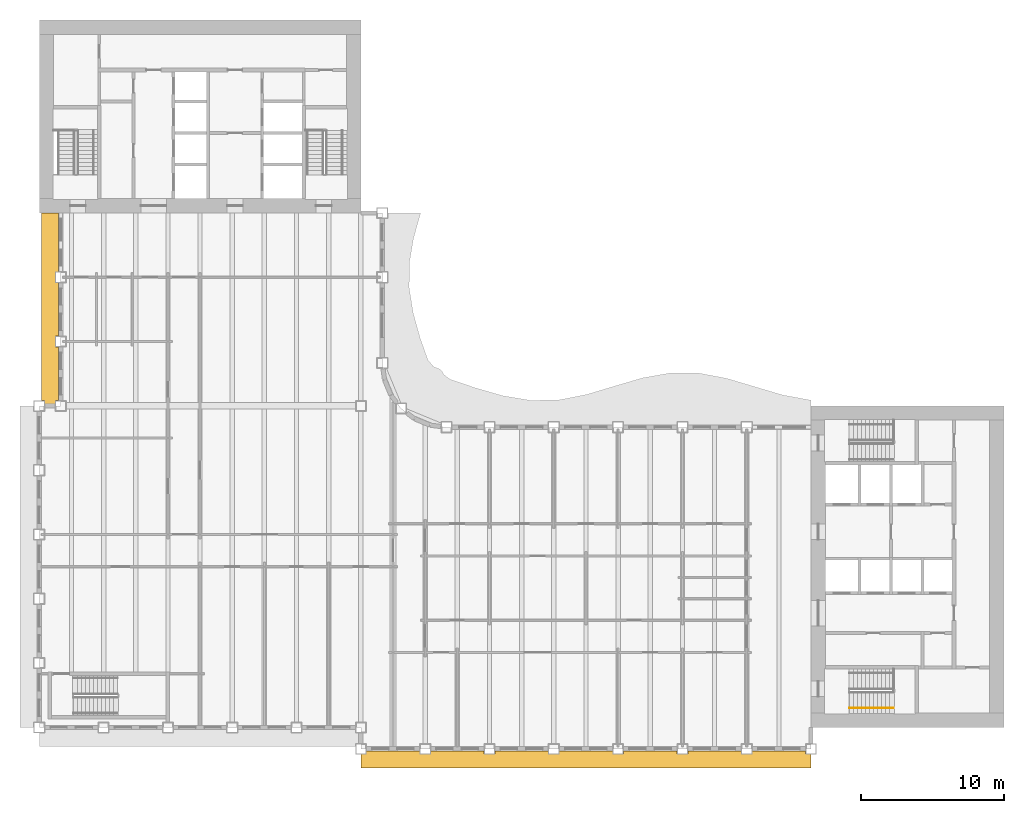
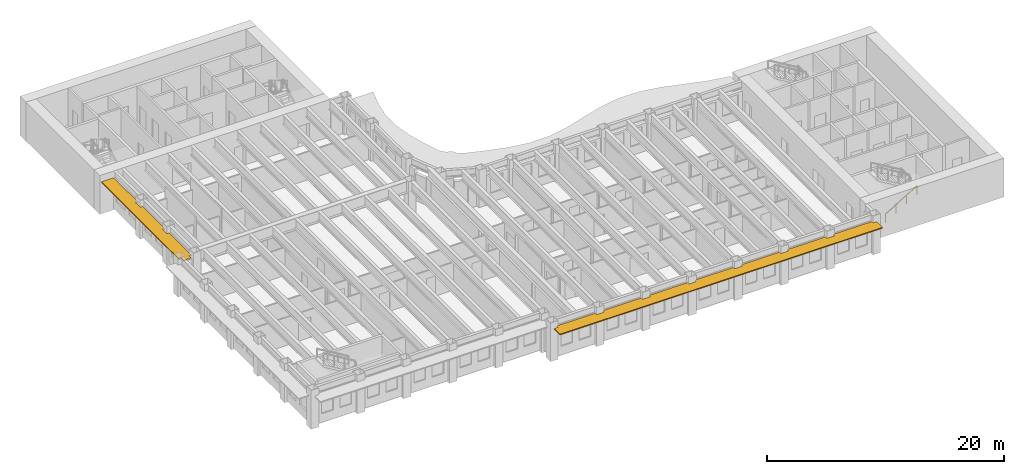
# One storey, part 12 of 16: 2 shading devices, 1 railing.
"""IFC4 building model written with IfcOpenShell, lengths in metres."""

from ifc_helpers import new_model, si_unit, direction, frame, origin, origin_2d, place, context, subcontext, project, spatial, polyline, rectangle, outline, extrude, material, layer, layer_set, type_object, element, save


model = new_model("IFC4")

# Units and contexts
model_context = context("Model", 3, precision=1e-05, world=origin(), true_north=direction((0.0, 1.0)))
body_context = subcontext(model_context, "Body", "Model", "MODEL_VIEW")
ifc_project = project(units=[si_unit("LENGTHUNIT", "METRE"), si_unit("AREAUNIT", "SQUARE_METRE"), si_unit("VOLUMEUNIT", "CUBIC_METRE"), si_unit("PLANEANGLEUNIT", "RADIAN"), si_unit("MASSUNIT", "GRAM", prefix="KILO")], contexts=[model_context])

# Site, building, storey
site_placement = place(None, origin())
site = spatial("IfcSite", under=ifc_project, at=site_placement, CompositionType="ELEMENT")
building_placement = place(site_placement, origin())
building = spatial("IfcBuilding", under=site, at=building_placement, Name="Sennacour Bend Tower", CompositionType="ELEMENT")
storey_placement = place(building_placement, frame((0.0, 0.0, 235.0)))
storey = spatial("IfcBuildingStorey", under=building, at=storey_placement, Name="L54", CompositionType="ELEMENT", Elevation=235.0)

# Railing
ifc_material_1 = material(Name="Stainless steel", Category="steel")
railing_type = type_object("IfcRailingType", Name="RL-HANDRAIL-900", PredefinedType="HANDRAIL", material=ifc_material_1)
railing_placement = place(storey_placement, frame((56.699951171875, 1.35009765625, 0.166748046875)))
element("IfcRailing", 1, at=railing_placement, inside=storey, type_object=railing_type, Name="L54 SA1 stair handrail 1", PredefinedType="HANDRAIL", context=body_context, shape_type="SweptSolid", body=[
    extrude(rectangle(XDim=0.048095703125, YDim=0.048095703125, at=origin_2d()), frame((0.0, 0.0, 0.8759765625), z_axis=(0.859308565015, 0.0, 0.511457515432), x_axis=(0.0, 1.0, 0.0)), (0.0, 0.0, 1.0), 3.58447265625),
    extrude(rectangle(XDim=0.0419921875, YDim=0.0419921875, at=origin_2d()), origin(), (0.0, 0.0, 1.0), 0.851806640625),
    extrude(rectangle(XDim=0.0419921875, YDim=0.0419921875, at=origin_2d()), frame((1.026611328125, 0.0, 0.611083984375)), (0.0, 0.0, 1.0), 0.851806640625),
    extrude(rectangle(XDim=0.0419921875, YDim=0.0419921875, at=origin_2d()), frame((2.053466796875, 0.0, 1.22216796875)), (0.0, 0.0, 1.0), 0.851806640625),
    extrude(rectangle(XDim=0.0419921875, YDim=0.0419921875, at=origin_2d()), frame((3.080078125, 0.0, 1.833251953125)), (0.0, 0.0, 1.0), 0.851806640625),
])

# Shading devices
ifc_material_2 = material(Name="Bronze anodised aluminium", Category="aluminium")
ifc_layer = layer(ifc_material_2, 0.10009765625, Name="Bronze anodised aluminium", Category="aluminium")
ifc_layer_set = layer_set([ifc_layer], Name="Bronze anodised aluminium")
shading_device_type = type_object("IfcShadingDeviceType", Name="SUNSHADE BAND STRAIGHT", PredefinedType="USERDEFINED", material=ifc_layer_set)
shading_device_1_placement = place(storey_placement, frame((0.0, 0.0, 3.056884765625)))
element("IfcShadingDevice", 2, at=shading_device_1_placement, inside=storey, type_object=shading_device_type, Name="Sunshade band L54 A outer face", ObjectType="SUNSHADE", PredefinedType="USERDEFINED", context=body_context, shape_type="SweptSolid", body=[
    extrude(outline(polyline([(26.625, -1.64990234375), (26.625, -1.875), (27.375, -1.875), (27.375, -1.64990234375), (31.125, -1.64990234375), (31.125, -1.875), (31.875, -1.875), (31.875, -1.64990234375), (35.625, -1.64990234375), (35.625, -1.875), (36.375, -1.875), (36.375, -1.64990234375), (40.125, -1.64990234375), (40.125, -1.875), (40.875, -1.875), (40.875, -1.64990234375), (44.625, -1.64990234375), (44.625, -1.875), (45.375, -1.875), (45.375, -1.64990234375), (49.125, -1.64990234375), (49.125, -1.875), (49.875, -1.875), (49.875, -1.64990234375), (53.625, -1.64990234375), (53.625, -1.875), (54.0, -1.875), (54.0, -2.85009765625), (22.5, -2.85009765625), (22.5, -1.875), (22.875, -1.875), (22.875, -1.64990234375), (26.625, -1.64990234375)])), origin(), (0.0, 0.0, 1.0), 0.10009765625),
])
shading_device_2_placement = place(storey_placement, frame((0.0, 0.0, 3.056884765625)))
element("IfcShadingDevice", 3, at=shading_device_2_placement, inside=storey, type_object=shading_device_type, Name="Sunshade band L54 B outer face", ObjectType="SUNSHADE", PredefinedType="USERDEFINED", context=body_context, shape_type="SweptSolid", body=[
    extrude(outline(polyline([(1.35009765625, 31.875), (1.125, 31.875), (1.125, 31.125), (1.35009765625, 31.125), (1.35009765625, 27.375), (1.125, 27.375), (1.125, 26.625), (1.35009765625, 26.625), (1.35009765625, 22.875), (1.125, 22.875), (1.125, 22.5), (0.375, 22.5), (0.375, 22.875), (0.14990234375, 22.875), (0.14990234375, 36.0), (1.35009765625, 36.0), (1.35009765625, 31.875)])), origin(), (0.0, 0.0, 1.0), 0.10009765625),
])

save(model, "model.ifc")
